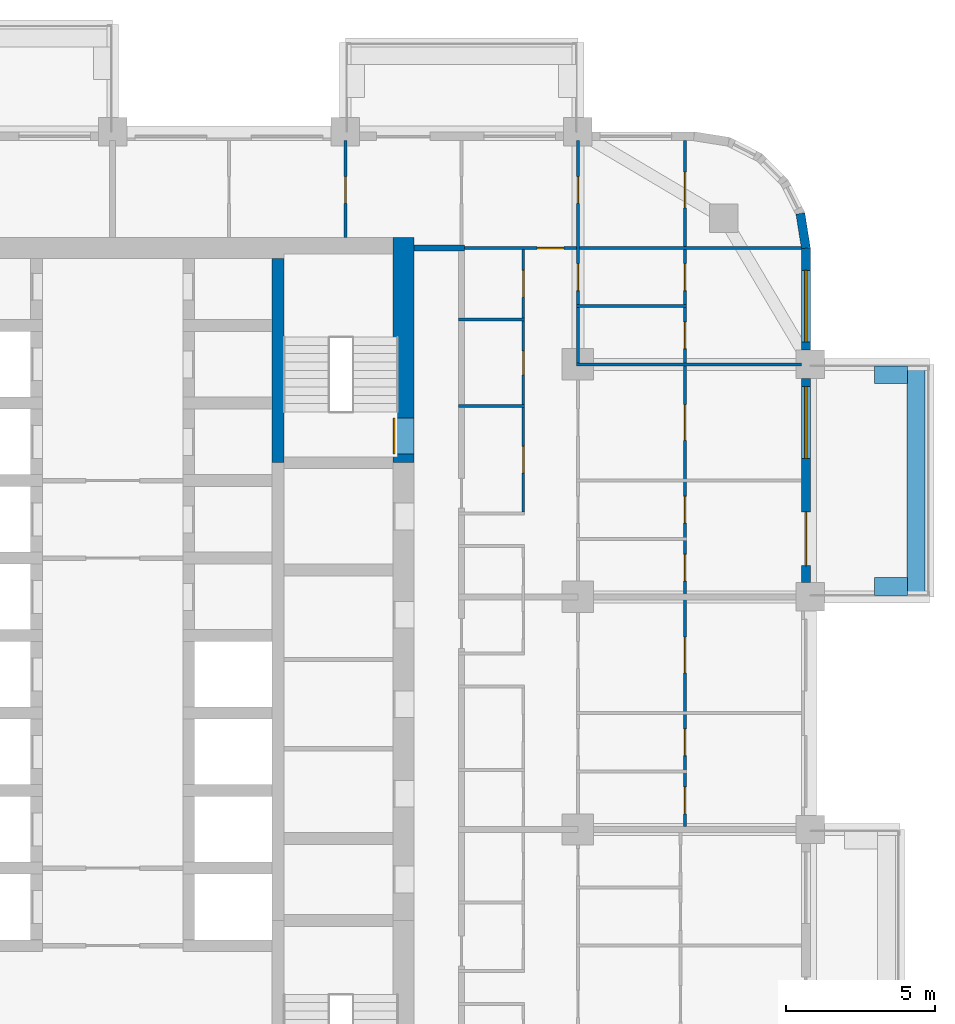
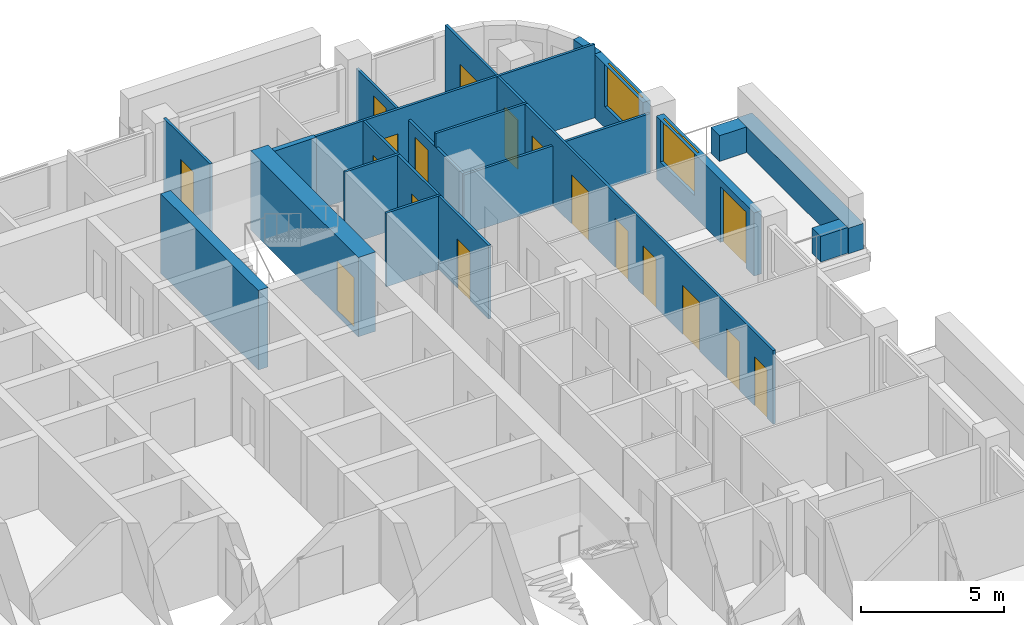
# One storey, part 13 of 18: 18 doors, 18 walls, 2 windows, 20 openings.
"""IFC4 building model written with IfcOpenShell, lengths in metres."""

from ifc_helpers import new_model, si_unit, direction, frame, frame_2d, origin, place, context, subcontext, project, spatial, rectangle, extrude, material, layer, layer_set, type_object, element, fill, save


model = new_model("IFC4")

# Units and contexts
model_context = context("Model", 3, precision=1e-05, world=origin(), true_north=direction((0.0, 1.0)))
body_context = subcontext(model_context, "Body", "Model", "MODEL_VIEW")
ifc_project = project(units=[si_unit("LENGTHUNIT", "METRE"), si_unit("AREAUNIT", "SQUARE_METRE"), si_unit("VOLUMEUNIT", "CUBIC_METRE"), si_unit("PLANEANGLEUNIT", "RADIAN"), si_unit("MASSUNIT", "GRAM", prefix="KILO")], contexts=[model_context])

# Site, building, storey
site_placement = place(None, origin())
site = spatial("IfcSite", under=ifc_project, at=site_placement, CompositionType="ELEMENT")
building_placement = place(site_placement, origin())
building = spatial("IfcBuilding", under=site, at=building_placement, Name="Ludao Terraces", CompositionType="ELEMENT")
storey_placement = place(building_placement, frame((0.0, 0.0, 64.800048828125)))
storey = spatial("IfcBuildingStorey", under=building, at=storey_placement, Name="L17", CompositionType="ELEMENT", Elevation=64.800048828125)

# Wall, opening, door
ifc_material_1 = material(Name="Concrete C70", Category="concrete")
ifc_layer_1 = layer(ifc_material_1, 0.699951171875)
ifc_layer_set_1 = layer_set([ifc_layer_1], Name="Core wall 700 C70")
wall_type_1 = type_object("IfcWallType", Name="Core wall 700 C70", PredefinedType="SOLIDWALL", material=ifc_layer_set_1)
wall_1_placement = place(storey_placement, frame((94.75, 77.300048828125, -0.25), z_axis=(0.0, 0.0, 1.0), x_axis=(0.0, 1.0, 0.0)))
wall_1 = element("IfcWall", 1, at=wall_1_placement, inside=storey, type_object=wall_type_1, Name="Core wall L17 outer-E-S2", PredefinedType="SOLIDWALL", context=body_context, shape_type="SweptSolid", body=[
    extrude(rectangle(XDim=7.550048828125, YDim=0.699951171875, at=frame_2d((3.77490234375, 0.0))), origin(), (0.0, 0.0, 1.0), 3.39990234375),
])
opening_1_placement = place(wall_1_placement, frame((0.300048828125, 0.0, 0.25)))
opening_1 = element("IfcOpeningElement", 2, at=opening_1_placement, cuts=wall_1, Name="Opening R05-136", PredefinedType="OPENING", context=body_context, shape_type="SweptSolid", body=[
    extrude(rectangle(XDim=1.199951171875, YDim=2.10009765625, at=frame_2d((0.60009765625, 1.050048828125))), frame((0.0, 0.35986328125, 0.0), z_axis=(0.0, -1.0, 0.0), x_axis=(1.0, 0.0, 0.0)), (0.0, 0.0, 1.0), 0.719970703125),
])
ifc_material_2 = material(Name="Steel Q235", Category="steel")
door_type_1 = type_object("IfcDoorType", Name="INT Stair door 1200", OperationType="DOUBLE_DOOR_SINGLE_SWING", PredefinedType="DOOR", material=ifc_material_2)
door_1_placement = place(opening_1_placement, origin())
door_1 = element("IfcDoor", 3, at=door_1_placement, inside=storey, type_object=door_type_1, Name="DOOR 136", OperationType="DOUBLE_DOOR_SINGLE_SWING", OverallHeight=2.10009765625, OverallWidth=1.199951171875, PredefinedType="DOOR", context=body_context, shape_type="SweptSolid", body=[
    extrude(rectangle(XDim=1.199951171875, YDim=2.10009765625, at=frame_2d((0.60009765625, 1.050048828125))), frame((0.0, 0.3349609375, 0.0), z_axis=(0.0, -1.0, 0.0), x_axis=(1.0, 0.0, 0.0)), (0.0, 0.0, 1.0), 0.050048828125),
])
fill(opening_1, door_1)

# Walls
ifc_material_3 = material(Name="Concrete C40", Category="concrete")
ifc_layer_2 = layer(ifc_material_3, 0.60009765625)
ifc_layer_set_2 = layer_set([ifc_layer_2], Name="ENV Planter trough 600")
wall_type_2 = type_object("IfcWallType", Name="ENV Planter trough 600", PredefinedType="USERDEFINED", material=ifc_layer_set_2)
wall_2_placement = place(storey_placement, frame((111.949951171875, 72.800048828125, 0.0), z_axis=(0.0, 0.0, 1.0), x_axis=(0.0, 1.0, 0.0)))
element("IfcWall", 4, at=wall_2_placement, inside=storey, type_object=wall_type_2, Name="PL-L17-E4", ObjectType="PLANTER", PredefinedType="USERDEFINED", context=body_context, shape_type="SweptSolid", body=[
    extrude(rectangle(XDim=7.800048828125, YDim=0.60009765625, at=frame_2d((3.89990234375, 0.0))), origin(), (0.0, 0.0, 1.0), 1.099853515625),
])
for number, where, z_axis, x_axis, name in (
    (5, (111.64990234375, 73.14990234375, 0.0), (0.0, 0.0, 1.0), (-1.0, 0.0, 0.0), "PL-L17-E4-SA"),
    (6, (111.64990234375, 80.25, 0.0), (0.0, 0.0, 1.0), (-1.0, 0.0, 0.0), "PL-L17-E4-SB"),
):
    element("IfcWall", number, at=place(storey_placement, frame(where, z_axis=z_axis, x_axis=x_axis)), inside=storey, type_object=wall_type_2, Name=name, ObjectType="PLANTER", PredefinedType="USERDEFINED", context=body_context, shape_type="SweptSolid", body=[
        extrude(rectangle(XDim=1.099853515625, YDim=0.60009765625, at=frame_2d((0.5498046875, 0.0))), origin(), (0.0, 0.0, 1.0), 1.099853515625),
    ])

# Wall, openings, door, window
ifc_material_4 = material(Name="Granite cladding", Category="masonry")
ifc_layer_3 = layer(ifc_material_4, 0.0400390625, Category="stone")
ifc_material_5 = material(Name="Mineral wool")
ifc_layer_4 = layer(ifc_material_5, 0.06005859375)
ifc_layer_5 = layer(ifc_material_3, 0.199951171875, Category="concrete")
ifc_layer_set_3 = layer_set([ifc_layer_3, ifc_layer_4, ifc_layer_5], Name="ENV Stone-clad wall 300")
wall_type_3 = type_object("IfcWallType", Name="ENV Stone-clad wall 300", PredefinedType="SOLIDWALL", material=ifc_layer_set_3)
wall_3_placement = place(storey_placement, frame((108.25, 73.27490234375, 0.0), z_axis=(0.0, 0.0, 1.0), x_axis=(0.0, 1.0, 0.0)))
wall_3 = element("IfcWall", 7, at=wall_3_placement, inside=storey, type_object=wall_type_3, Name="EW-L17-E5", PredefinedType="SOLIDWALL", context=body_context, shape_type="SweptSolid", body=[
    extrude(rectangle(XDim=6.85009765625, YDim=0.300048828125, at=frame_2d((3.425048828125, 0.0))), origin(), (0.0, 0.0, 1.0), 2.699951171875),
])
opening_2_placement = place(wall_3_placement, frame((0.574951171875, 0.0, 0.0)))
opening_2 = element("IfcOpeningElement", 8, at=opening_2_placement, cuts=wall_3, Name="Opening BD", PredefinedType="OPENING", context=body_context, shape_type="SweptSolid", body=[
    extrude(rectangle(XDim=1.800048828125, YDim=2.39990234375, at=frame_2d((0.89990234375, 1.199951171875))), frame((0.0, 0.16015625, 0.0), z_axis=(0.0, -1.0, 0.0), x_axis=(1.0, 0.0, 0.0)), (0.0, 0.0, 1.0), 0.320068359375),
])
opening_3_placement = place(wall_3_placement, frame((4.175048828125, 0.0, 0.89990234375)))
opening_3 = element("IfcOpeningElement", 9, at=opening_3_placement, cuts=wall_3, Name="Opening W1", PredefinedType="OPENING", context=body_context, shape_type="SweptSolid", body=[
    extrude(rectangle(XDim=2.39990234375, YDim=1.800048828125, at=frame_2d((1.199951171875, 0.89990234375))), frame((0.0, 0.16015625, 0.0), z_axis=(0.0, -1.0, 0.0), x_axis=(1.0, 0.0, 0.0)), (0.0, 0.0, 1.0), 0.320068359375),
])
ifc_material_6 = material(Name="Aluminium glazed door", Category="aluminium")
ifc_layer_6 = layer(ifc_material_6, 0.06005859375)
ifc_layer_set_4 = layer_set([ifc_layer_6], Name="ENV Balcony door BD 1800x2400")
door_type_2 = type_object("IfcDoorType", Name="ENV Balcony door BD 1800x2400", OperationType="DOUBLE_DOOR_SINGLE_SWING", PredefinedType="DOOR", material=ifc_layer_set_4)
door_2_placement = place(opening_2_placement, origin())
door_2 = element("IfcDoor", 10, at=door_2_placement, inside=storey, type_object=door_type_2, Name="BD-L17-E5-1", OperationType="DOUBLE_DOOR_SINGLE_SWING", OverallHeight=2.39990234375, OverallWidth=1.800048828125, PredefinedType="DOOR", context=body_context, shape_type="SweptSolid", body=[
    extrude(rectangle(XDim=1.800048828125, YDim=2.39990234375, at=frame_2d((0.89990234375, 1.199951171875))), frame((0.0, 0.02490234375, 0.0), z_axis=(0.0, -1.0, 0.0), x_axis=(1.0, 0.0, 0.0)), (0.0, 0.0, 1.0), 0.050048828125),
])
fill(opening_2, door_2)
ifc_material_7 = material(Name="Clear glass in aluminium frame", Category="aluminium")
ifc_layer_7 = layer(ifc_material_7, 0.06005859375)
ifc_layer_set_5 = layer_set([ifc_layer_7], Name="ENV Window W1 2400x1800")
window_type = type_object("IfcWindowType", Name="ENV Window W1 2400x1800", PartitioningType="DOUBLE_PANEL_VERTICAL", PredefinedType="WINDOW", material=ifc_layer_set_5)
window_1_placement = place(opening_3_placement, origin())
window_1 = element("IfcWindow", 11, at=window_1_placement, inside=storey, type_object=window_type, Name="W-L17-E5-2", OverallHeight=1.800048828125, OverallWidth=2.39990234375, PartitioningType="DOUBLE_PANEL_VERTICAL", PredefinedType="WINDOW", context=body_context, shape_type="SweptSolid", body=[
    extrude(rectangle(XDim=2.39990234375, YDim=1.800048828125, at=frame_2d((1.199951171875, 0.89990234375))), frame((0.0, 0.030029296875, 0.0), z_axis=(0.0, -1.0, 0.0), x_axis=(1.0, 0.0, 0.0)), (0.0, 0.0, 1.0), 0.06005859375),
])
fill(opening_3, window_1)

# Wall, opening, window
wall_4_placement = place(storey_placement, frame((108.25, 81.074951171875, 0.0), z_axis=(0.0, 0.0, 1.0), x_axis=(0.0, 1.0, 0.0)))
wall_4 = element("IfcWall", 12, at=wall_4_placement, inside=storey, type_object=wall_type_3, Name="EW-L17-E6", PredefinedType="SOLIDWALL", context=body_context, shape_type="SweptSolid", body=[
    extrude(rectangle(XDim=3.425048828125, YDim=0.300048828125, at=frame_2d((1.71240234375, 0.0))), origin(), (0.0, 0.0, 1.0), 2.699951171875),
])
opening_4_placement = place(wall_4_placement, frame((0.27490234375, 0.0, 0.89990234375)))
opening_4 = element("IfcOpeningElement", 13, at=opening_4_placement, cuts=wall_4, Name="Opening W1", PredefinedType="OPENING", context=body_context, shape_type="SweptSolid", body=[
    extrude(rectangle(XDim=2.39990234375, YDim=1.800048828125, at=frame_2d((1.199951171875, 0.89990234375))), frame((0.0, 0.16015625, 0.0), z_axis=(0.0, -1.0, 0.0), x_axis=(1.0, 0.0, 0.0)), (0.0, 0.0, 1.0), 0.320068359375),
])
window_2_placement = place(opening_4_placement, origin())
window_2 = element("IfcWindow", 14, at=window_2_placement, inside=storey, type_object=window_type, Name="W-L17-E6-1", OverallHeight=1.800048828125, OverallWidth=2.39990234375, PartitioningType="DOUBLE_PANEL_VERTICAL", PredefinedType="WINDOW", context=body_context, shape_type="SweptSolid", body=[
    extrude(rectangle(XDim=2.39990234375, YDim=1.800048828125, at=frame_2d((1.199951171875, 0.89990234375))), frame((0.0, 0.030029296875, 0.0), z_axis=(0.0, -1.0, 0.0), x_axis=(1.0, 0.0, 0.0)), (0.0, 0.0, 1.0), 0.06005859375),
])
fill(opening_4, window_2)

# Walls
wall_5_placement = place(storey_placement, frame((108.25, 84.5, 0.0), z_axis=(0.0, 0.0, 1.0), x_axis=(-0.156496880861, 0.987678452879, 0.0)))
element("IfcWall", 15, at=wall_5_placement, inside=storey, type_object=wall_type_3, Name="EW-L17-NE1", PredefinedType="SOLIDWALL", context=body_context, shape_type="SweptSolid", body=[
    extrude(rectangle(XDim=1.173095703125, YDim=0.300048828125, at=frame_2d((0.58642578125, 0.0))), origin(), (0.0, 0.0, 1.0), 2.699951171875),
])
ifc_material_8 = material(Name="Autoclaved aerated concrete block B06 A3.5", Category="concrete")
ifc_layer_8 = layer(ifc_material_8, 0.199951171875)
ifc_layer_set_6 = layer_set([ifc_layer_8], Name="INT Entrance wall 200")
wall_type_4 = type_object("IfcWallType", Name="INT Entrance wall 200", PredefinedType="PARTITIONING", material=ifc_layer_set_6)
wall_6_placement = place(storey_placement, frame((95.10009765625, 84.5, 0.0), z_axis=(0.0, 0.0, 1.0), x_axis=(1.0, 0.0, 0.0)))
element("IfcWall", 16, at=wall_6_placement, inside=storey, type_object=wall_type_4, Name="PW-L17-PW079", PredefinedType="PARTITIONING", context=body_context, shape_type="SweptSolid", body=[
    extrude(rectangle(XDim=1.699951171875, YDim=0.199951171875, at=frame_2d((0.85009765625, 0.0))), origin(), (0.0, 0.0, 1.0), 3.14990234375),
])
ifc_material_9 = material(Name="Gypsum plasterboard", Category="gypsum")
ifc_layer_9 = layer(ifc_material_9, 0.012451171875, Category="gypsum")
ifc_layer_10 = layer(ifc_material_5, 0.06005859375, Name="insulation")
ifc_layer_11 = layer(ifc_material_2, 0.014892578125, Name="stud")
ifc_layer_12 = layer(ifc_material_9, 0.012451171875, Category="gypsum")
ifc_layer_set_7 = layer_set([ifc_layer_9, ifc_layer_10, ifc_layer_11, ifc_layer_12], Name="INT Partition 100")
wall_type_5 = type_object("IfcWallType", Name="INT Partition 100", PredefinedType="PARTITIONING", material=ifc_layer_set_7)
wall_7_placement = place(storey_placement, frame((96.60009765625, 79.199951171875, 0.0), z_axis=(0.0, 0.0, 1.0), x_axis=(1.0, 0.0, 0.0)))
element("IfcWall", 17, at=wall_7_placement, inside=storey, type_object=wall_type_5, Name="PW-L17-PW068", PredefinedType="PARTITIONING", context=body_context, shape_type="SweptSolid", body=[
    extrude(rectangle(XDim=2.219970703125, YDim=0.10009765625, at=frame_2d((1.10986328125, 0.0))), origin(), (0.0, 0.0, 1.0), 3.14990234375),
])
wall_8_placement = place(storey_placement, frame((100.550048828125, 80.60009765625, 0.0), z_axis=(0.0, 0.0, 1.0), x_axis=(1.0, 0.0, 0.0)))
element("IfcWall", 18, at=wall_8_placement, inside=storey, type_object=wall_type_5, Name="PW-L17-PW071", PredefinedType="PARTITIONING", context=body_context, shape_type="SweptSolid", body=[
    extrude(rectangle(XDim=7.550048828125, YDim=0.10009765625, at=frame_2d((3.77490234375, 0.0))), origin(), (0.0, 0.0, 1.0), 2.5498046875),
])
wall_9_placement = place(storey_placement, frame((96.60009765625, 82.10009765625, 0.0), z_axis=(0.0, 0.0, 1.0), x_axis=(1.0, 0.0, 0.0)))
element("IfcWall", 19, at=wall_9_placement, inside=storey, type_object=wall_type_5, Name="PW-L17-PW073", PredefinedType="PARTITIONING", context=body_context, shape_type="SweptSolid", body=[
    extrude(rectangle(XDim=2.219970703125, YDim=0.10009765625, at=frame_2d((1.10986328125, 0.0))), origin(), (0.0, 0.0, 1.0), 3.14990234375),
])
wall_10_placement = place(storey_placement, frame((100.550048828125, 82.550048828125, 0.0), z_axis=(0.0, 0.0, 1.0), x_axis=(1.0, 0.0, 0.0)))
element("IfcWall", 20, at=wall_10_placement, inside=storey, type_object=wall_type_5, Name="PW-L17-PW076", PredefinedType="PARTITIONING", context=body_context, shape_type="SweptSolid", body=[
    extrude(rectangle(XDim=3.699951171875, YDim=0.10009765625, at=frame_2d((1.85009765625, 0.0))), origin(), (0.0, 0.0, 1.0), 3.14990234375),
])

# Wall, opening, door
wall_11_placement = place(storey_placement, frame((96.60009765625, 84.5, 0.0), z_axis=(0.0, 0.0, 1.0), x_axis=(1.0, 0.0, 0.0)))
wall_11 = element("IfcWall", 21, at=wall_11_placement, inside=storey, type_object=wall_type_5, Name="PW-L17-PW080", PredefinedType="PARTITIONING", context=body_context, shape_type="SweptSolid", body=[
    extrude(rectangle(XDim=11.5, YDim=0.10009765625, at=frame_2d((5.75, 0.0))), origin(), (0.0, 0.0, 1.0), 3.14990234375),
])
opening_5_placement = place(wall_11_placement, frame((2.635009765625, 0.0, 0.0)))
opening_5 = element("IfcOpeningElement", 22, at=opening_5_placement, cuts=wall_11, Name="Opening R05-158", PredefinedType="OPENING", context=body_context, shape_type="SweptSolid", body=[
    extrude(rectangle(XDim=0.89990234375, YDim=2.10009765625, at=frame_2d((0.449951171875, 1.050048828125))), frame((0.0, 0.06005859375, 0.0), z_axis=(0.0, -1.0, 0.0), x_axis=(1.0, 0.0, 0.0)), (0.0, 0.0, 1.0), 0.1201171875),
])
ifc_material_10 = material(Name="Timber door leaf", Category="wood")
door_type_3 = type_object("IfcDoorType", Name="INT Room door 900", OperationType="SINGLE_SWING_LEFT", PredefinedType="DOOR", material=ifc_material_10)
door_3_placement = place(opening_5_placement, origin())
door_3 = element("IfcDoor", 23, at=door_3_placement, inside=storey, type_object=door_type_3, Name="DOOR 158", OperationType="SINGLE_SWING_RIGHT", OverallHeight=2.10009765625, OverallWidth=0.89990234375, PredefinedType="DOOR", context=body_context, shape_type="SweptSolid", body=[
    extrude(rectangle(XDim=0.89990234375, YDim=2.10009765625, at=frame_2d((0.449951171875, 1.050048828125))), frame((0.0, 0.02490234375, 0.0), z_axis=(0.0, -1.0, 0.0), x_axis=(1.0, 0.0, 0.0)), (0.0, 0.0, 1.0), 0.050048828125),
])
fill(opening_5, door_3)

wall_12_placement = place(storey_placement, frame((92.800048828125, 84.85009765625, 0.0), z_axis=(0.0, 0.0, 1.0), x_axis=(0.0, 1.0, 0.0)))
wall_12 = element("IfcWall", 24, at=wall_12_placement, inside=storey, type_object=wall_type_5, Name="PW-L17-PW115", PredefinedType="PARTITIONING", context=body_context, shape_type="SweptSolid", body=[
    extrude(rectangle(XDim=3.25, YDim=0.10009765625, at=frame_2d((1.625, 0.0))), origin(), (0.0, 0.0, 1.0), 3.14990234375),
])
opening_6_placement = place(wall_12_placement, frame((1.14990234375, 0.0, 0.0)))
opening_6 = element("IfcOpeningElement", 25, at=opening_6_placement, cuts=wall_12, Name="Opening R05-165", PredefinedType="OPENING", context=body_context, shape_type="SweptSolid", body=[
    extrude(rectangle(XDim=0.89990234375, YDim=2.10009765625, at=frame_2d((0.449951171875, 1.050048828125))), frame((0.0, 0.06005859375, 0.0), z_axis=(0.0, -1.0, 0.0), x_axis=(1.0, 0.0, 0.0)), (0.0, 0.0, 1.0), 0.1201171875),
])
door_4_placement = place(opening_6_placement, origin())
door_4 = element("IfcDoor", 26, at=door_4_placement, inside=storey, type_object=door_type_3, Name="DOOR 165", OperationType="SINGLE_SWING_LEFT", OverallHeight=2.10009765625, OverallWidth=0.89990234375, PredefinedType="DOOR", context=body_context, shape_type="SweptSolid", body=[
    extrude(rectangle(XDim=0.89990234375, YDim=2.10009765625, at=frame_2d((0.449951171875, 1.050048828125))), frame((0.0, 0.02490234375, 0.0), z_axis=(0.0, -1.0, 0.0), x_axis=(1.0, 0.0, 0.0)), (0.0, 0.0, 1.0), 0.050048828125),
])
fill(opening_6, door_4)

# Wall, openings, doors
wall_13_placement = place(storey_placement, frame((98.77001953125, 75.650146484375, 0.0), z_axis=(0.0, 0.0, 1.0), x_axis=(0.0, 1.0, 0.0)))
wall_13 = element("IfcWall", 27, at=wall_13_placement, inside=storey, type_object=wall_type_5, Name="PW-L17-PW124", PredefinedType="PARTITIONING", context=body_context, shape_type="SweptSolid", body=[
    extrude(rectangle(XDim=8.800048828125, YDim=0.10009765625, at=frame_2d((4.39990234375, 0.0))), origin(), (0.0, 0.0, 1.0), 3.14990234375),
])
opening_7_placement = place(wall_13_placement, frame((1.300048828125, 0.0, 0.0)))
opening_7 = element("IfcOpeningElement", 28, at=opening_7_placement, cuts=wall_13, Name="Opening R05-131", PredefinedType="OPENING", context=body_context, shape_type="SweptSolid", body=[
    extrude(rectangle(XDim=0.89990234375, YDim=2.10009765625, at=frame_2d((0.449951171875, 1.050048828125))), frame((0.0, 0.06005859375, 0.0), z_axis=(0.0, -1.0, 0.0), x_axis=(1.0, 0.0, 0.0)), (0.0, 0.0, 1.0), 0.1201171875),
])
opening_8_placement = place(wall_13_placement, frame((4.60009765625, 0.0, 0.0)))
opening_8 = element("IfcOpeningElement", 29, at=opening_8_placement, cuts=wall_13, Name="Opening R05-145", PredefinedType="OPENING", context=body_context, shape_type="SweptSolid", body=[
    extrude(rectangle(XDim=0.800048828125, YDim=2.10009765625, at=frame_2d((0.39990234375, 1.050048828125))), frame((0.0, 0.06005859375, 0.0), z_axis=(0.0, -1.0, 0.0), x_axis=(1.0, 0.0, 0.0)), (0.0, 0.0, 1.0), 0.1201171875),
])
opening_9_placement = place(wall_13_placement, frame((7.199951171875, 0.0, 0.0)))
opening_9 = element("IfcOpeningElement", 30, at=opening_9_placement, cuts=wall_13, Name="Opening R05-151", PredefinedType="OPENING", context=body_context, shape_type="SweptSolid", body=[
    extrude(rectangle(XDim=0.89990234375, YDim=2.10009765625, at=frame_2d((0.449951171875, 1.050048828125))), frame((0.0, 0.06005859375, 0.0), z_axis=(0.0, -1.0, 0.0), x_axis=(1.0, 0.0, 0.0)), (0.0, 0.0, 1.0), 0.1201171875),
])
door_type_4 = type_object("IfcDoorType", Name="INT Bathroom door 900", OperationType="SINGLE_SWING_LEFT", PredefinedType="DOOR", material=ifc_material_10)
door_5_placement = place(opening_9_placement, origin())
door_5 = element("IfcDoor", 31, at=door_5_placement, inside=storey, type_object=door_type_4, Name="DOOR 151", OperationType="SINGLE_SWING_LEFT", OverallHeight=2.10009765625, OverallWidth=0.89990234375, PredefinedType="DOOR", context=body_context, shape_type="SweptSolid", body=[
    extrude(rectangle(XDim=0.89990234375, YDim=2.10009765625, at=frame_2d((0.449951171875, 1.050048828125))), frame((0.0, 0.02490234375, 0.0), z_axis=(0.0, -1.0, 0.0), x_axis=(1.0, 0.0, 0.0)), (0.0, 0.0, 1.0), 0.050048828125),
])
fill(opening_9, door_5)
door_6_placement = place(opening_7_placement, origin())
door_6 = element("IfcDoor", 32, at=door_6_placement, inside=storey, type_object=door_type_3, Name="DOOR 131", OperationType="SINGLE_SWING_LEFT", OverallHeight=2.10009765625, OverallWidth=0.89990234375, PredefinedType="DOOR", context=body_context, shape_type="SweptSolid", body=[
    extrude(rectangle(XDim=0.89990234375, YDim=2.10009765625, at=frame_2d((0.449951171875, 1.050048828125))), frame((0.0, 0.02490234375, 0.0), z_axis=(0.0, -1.0, 0.0), x_axis=(1.0, 0.0, 0.0)), (0.0, 0.0, 1.0), 0.050048828125),
])
fill(opening_7, door_6)
door_type_5 = type_object("IfcDoorType", Name="INT Store door 800", OperationType="SINGLE_SWING_LEFT", PredefinedType="DOOR", material=ifc_material_10)
door_7_placement = place(opening_8_placement, origin())
door_7 = element("IfcDoor", 33, at=door_7_placement, inside=storey, type_object=door_type_5, Name="DOOR 145", OperationType="SINGLE_SWING_RIGHT", OverallHeight=2.10009765625, OverallWidth=0.800048828125, PredefinedType="DOOR", context=body_context, shape_type="SweptSolid", body=[
    extrude(rectangle(XDim=0.800048828125, YDim=2.10009765625, at=frame_2d((0.39990234375, 1.050048828125))), frame((0.0, 0.02490234375, 0.0), z_axis=(0.0, -1.0, 0.0), x_axis=(1.0, 0.0, 0.0)), (0.0, 0.0, 1.0), 0.050048828125),
])
fill(opening_8, door_7)

wall_14_placement = place(storey_placement, frame((100.60009765625, 80.60009765625, 0.0), z_axis=(0.0, 0.0, 1.0), x_axis=(0.0, 1.0, 0.0)))
wall_14 = element("IfcWall", 34, at=wall_14_placement, inside=storey, type_object=wall_type_5, Name="PW-L17-PW125-3", PredefinedType="PARTITIONING", context=body_context, shape_type="SweptSolid", body=[
    extrude(rectangle(XDim=7.5, YDim=0.10009765625, at=frame_2d((3.75, 0.0))), origin(), (0.0, 0.0, 1.0), 2.5498046875),
])
opening_10_placement = place(wall_14_placement, frame((2.47509765625, 0.0, 0.0)))
opening_10 = element("IfcOpeningElement", 35, at=opening_10_placement, cuts=wall_14, Name="Opening R05-155", PredefinedType="OPENING", context=body_context, shape_type="SweptSolid", body=[
    extrude(rectangle(XDim=0.89990234375, YDim=2.10009765625, at=frame_2d((0.449951171875, 1.050048828125))), frame((0.0, 0.06005859375, 0.0), z_axis=(0.0, -1.0, 0.0), x_axis=(1.0, 0.0, 0.0)), (0.0, 0.0, 1.0), 0.1201171875),
])
opening_11_placement = place(wall_14_placement, frame((5.39990234375, 0.0, 0.0)))
opening_11 = element("IfcOpeningElement", 36, at=opening_11_placement, cuts=wall_14, Name="Opening R05-167", PredefinedType="OPENING", context=body_context, shape_type="SweptSolid", body=[
    extrude(rectangle(XDim=0.89990234375, YDim=2.10009765625, at=frame_2d((0.449951171875, 1.050048828125))), frame((0.0, 0.06005859375, 0.0), z_axis=(0.0, -1.0, 0.0), x_axis=(1.0, 0.0, 0.0)), (0.0, 0.0, 1.0), 0.1201171875),
])
door_8_placement = place(opening_10_placement, origin())
door_8 = element("IfcDoor", 37, at=door_8_placement, inside=storey, type_object=door_type_3, Name="DOOR 155", OperationType="SINGLE_SWING_RIGHT", OverallHeight=2.10009765625, OverallWidth=0.89990234375, PredefinedType="DOOR", context=body_context, shape_type="SweptSolid", body=[
    extrude(rectangle(XDim=0.89990234375, YDim=2.10009765625, at=frame_2d((0.449951171875, 1.050048828125))), frame((0.0, 0.02490234375, 0.0), z_axis=(0.0, -1.0, 0.0), x_axis=(1.0, 0.0, 0.0)), (0.0, 0.0, 1.0), 0.050048828125),
])
fill(opening_10, door_8)
door_9_placement = place(opening_11_placement, origin())
door_9 = element("IfcDoor", 38, at=door_9_placement, inside=storey, type_object=door_type_3, Name="DOOR 167", OperationType="SINGLE_SWING_LEFT", OverallHeight=2.10009765625, OverallWidth=0.89990234375, PredefinedType="DOOR", context=body_context, shape_type="SweptSolid", body=[
    extrude(rectangle(XDim=0.89990234375, YDim=2.10009765625, at=frame_2d((0.449951171875, 1.050048828125))), frame((0.0, 0.02490234375, 0.0), z_axis=(0.0, -1.0, 0.0), x_axis=(1.0, 0.0, 0.0)), (0.0, 0.0, 1.0), 0.050048828125),
])
fill(opening_11, door_9)

wall_15_placement = place(storey_placement, frame((104.199951171875, 65.10009765625, 0.0), z_axis=(0.0, 0.0, 1.0), x_axis=(0.0, 1.0, 0.0)))
wall_15 = element("IfcWall", 39, at=wall_15_placement, inside=storey, type_object=wall_type_5, Name="PW-L17-PW127", PredefinedType="PARTITIONING", context=body_context, shape_type="SweptSolid", body=[
    extrude(rectangle(XDim=23.0, YDim=0.10009765625, at=frame_2d((11.5, 0.0))), origin(), (0.0, 0.0, 1.0), 3.14990234375),
])
opening_12_placement = place(wall_15_placement, frame((0.425048828125, 0.0, 0.0)))
opening_12 = element("IfcOpeningElement", 40, at=opening_12_placement, cuts=wall_15, Name="Opening R05-090", PredefinedType="OPENING", context=body_context, shape_type="SweptSolid", body=[
    extrude(rectangle(XDim=0.89990234375, YDim=2.10009765625, at=frame_2d((0.449951171875, 1.050048828125))), frame((0.0, 0.06005859375, 0.0), z_axis=(0.0, -1.0, 0.0), x_axis=(1.0, 0.0, 0.0)), (0.0, 0.0, 1.0), 0.1201171875),
])
opening_13_placement = place(wall_15_placement, frame((2.375, 0.0, 0.0)))
opening_13 = element("IfcOpeningElement", 41, at=opening_13_placement, cuts=wall_15, Name="Opening R05-099", PredefinedType="OPENING", context=body_context, shape_type="SweptSolid", body=[
    extrude(rectangle(XDim=0.89990234375, YDim=2.10009765625, at=frame_2d((0.449951171875, 1.050048828125))), frame((0.0, 0.06005859375, 0.0), z_axis=(0.0, -1.0, 0.0), x_axis=(1.0, 0.0, 0.0)), (0.0, 0.0, 1.0), 0.1201171875),
])
opening_14_placement = place(wall_15_placement, frame((5.14990234375, 0.0, 0.0)))
opening_14 = element("IfcOpeningElement", 42, at=opening_14_placement, cuts=wall_15, Name="Opening R05-107", PredefinedType="OPENING", context=body_context, shape_type="SweptSolid", body=[
    extrude(rectangle(XDim=1.199951171875, YDim=2.10009765625, at=frame_2d((0.60009765625, 1.050048828125))), frame((0.0, 0.06005859375, 0.0), z_axis=(0.0, -1.0, 0.0), x_axis=(1.0, 0.0, 0.0)), (0.0, 0.0, 1.0), 0.1201171875),
])
opening_15_placement = place(wall_15_placement, frame((8.22509765625, 0.0, 0.0)))
opening_15 = element("IfcOpeningElement", 43, at=opening_15_placement, cuts=wall_15, Name="Opening R05-117", PredefinedType="OPENING", context=body_context, shape_type="SweptSolid", body=[
    extrude(rectangle(XDim=0.89990234375, YDim=2.10009765625, at=frame_2d((0.449951171875, 1.050048828125))), frame((0.0, 0.06005859375, 0.0), z_axis=(0.0, -1.0, 0.0), x_axis=(1.0, 0.0, 0.0)), (0.0, 0.0, 1.0), 0.1201171875),
])
opening_16_placement = place(wall_15_placement, frame((10.175048828125, 0.0, 0.0)))
opening_16 = element("IfcOpeningElement", 44, at=opening_16_placement, cuts=wall_15, Name="Opening R05-126", PredefinedType="OPENING", context=body_context, shape_type="SweptSolid", body=[
    extrude(rectangle(XDim=0.89990234375, YDim=2.10009765625, at=frame_2d((0.449951171875, 1.050048828125))), frame((0.0, 0.06005859375, 0.0), z_axis=(0.0, -1.0, 0.0), x_axis=(1.0, 0.0, 0.0)), (0.0, 0.0, 1.0), 0.1201171875),
])
opening_17_placement = place(wall_15_placement, frame((12.949951171875, 0.0, 0.0)))
opening_17 = element("IfcOpeningElement", 45, at=opening_17_placement, cuts=wall_15, Name="Opening R05-140", PredefinedType="OPENING", context=body_context, shape_type="SweptSolid", body=[
    extrude(rectangle(XDim=1.199951171875, YDim=2.10009765625, at=frame_2d((0.60009765625, 1.050048828125))), frame((0.0, 0.06005859375, 0.0), z_axis=(0.0, -1.0, 0.0), x_axis=(1.0, 0.0, 0.0)), (0.0, 0.0, 1.0), 0.1201171875),
])
opening_18_placement = place(wall_15_placement, frame((16.02490234375, 0.0, 0.0)))
opening_18 = element("IfcOpeningElement", 46, at=opening_18_placement, cuts=wall_15, Name="Opening R05-147", PredefinedType="OPENING", context=body_context, shape_type="SweptSolid", body=[
    extrude(rectangle(XDim=0.89990234375, YDim=2.10009765625, at=frame_2d((0.449951171875, 1.050048828125))), frame((0.0, 0.06005859375, 0.0), z_axis=(0.0, -1.0, 0.0), x_axis=(1.0, 0.0, 0.0)), (0.0, 0.0, 1.0), 0.1201171875),
])
opening_19_placement = place(wall_15_placement, frame((17.97509765625, 0.0, 0.0)))
opening_19 = element("IfcOpeningElement", 47, at=opening_19_placement, cuts=wall_15, Name="Opening R05-156", PredefinedType="OPENING", context=body_context, shape_type="SweptSolid", body=[
    extrude(rectangle(XDim=0.89990234375, YDim=2.10009765625, at=frame_2d((0.449951171875, 1.050048828125))), frame((0.0, 0.06005859375, 0.0), z_axis=(0.0, -1.0, 0.0), x_axis=(1.0, 0.0, 0.0)), (0.0, 0.0, 1.0), 0.1201171875),
])
opening_20_placement = place(wall_15_placement, frame((20.75, 0.0, 0.0)))
opening_20 = element("IfcOpeningElement", 48, at=opening_20_placement, cuts=wall_15, Name="Opening R05-168", PredefinedType="OPENING", context=body_context, shape_type="SweptSolid", body=[
    extrude(rectangle(XDim=1.199951171875, YDim=2.10009765625, at=frame_2d((0.60009765625, 1.050048828125))), frame((0.0, 0.06005859375, 0.0), z_axis=(0.0, -1.0, 0.0), x_axis=(1.0, 0.0, 0.0)), (0.0, 0.0, 1.0), 0.1201171875),
])
door_10_placement = place(opening_12_placement, origin())
door_10 = element("IfcDoor", 49, at=door_10_placement, inside=storey, type_object=door_type_4, Name="DOOR 090", OperationType="SINGLE_SWING_LEFT", OverallHeight=2.10009765625, OverallWidth=0.89990234375, PredefinedType="DOOR", context=body_context, shape_type="SweptSolid", body=[
    extrude(rectangle(XDim=0.89990234375, YDim=2.10009765625, at=frame_2d((0.449951171875, 1.050048828125))), frame((0.0, 0.02490234375, 0.0), z_axis=(0.0, -1.0, 0.0), x_axis=(1.0, 0.0, 0.0)), (0.0, 0.0, 1.0), 0.050048828125),
])
fill(opening_12, door_10)
door_11_placement = place(opening_15_placement, origin())
door_11 = element("IfcDoor", 50, at=door_11_placement, inside=storey, type_object=door_type_4, Name="DOOR 117", OperationType="SINGLE_SWING_LEFT", OverallHeight=2.10009765625, OverallWidth=0.89990234375, PredefinedType="DOOR", context=body_context, shape_type="SweptSolid", body=[
    extrude(rectangle(XDim=0.89990234375, YDim=2.10009765625, at=frame_2d((0.449951171875, 1.050048828125))), frame((0.0, 0.02490234375, 0.0), z_axis=(0.0, -1.0, 0.0), x_axis=(1.0, 0.0, 0.0)), (0.0, 0.0, 1.0), 0.050048828125),
])
fill(opening_15, door_11)
door_12_placement = place(opening_18_placement, origin())
door_12 = element("IfcDoor", 51, at=door_12_placement, inside=storey, type_object=door_type_4, Name="DOOR 147", OperationType="SINGLE_SWING_RIGHT", OverallHeight=2.10009765625, OverallWidth=0.89990234375, PredefinedType="DOOR", context=body_context, shape_type="SweptSolid", body=[
    extrude(rectangle(XDim=0.89990234375, YDim=2.10009765625, at=frame_2d((0.449951171875, 1.050048828125))), frame((0.0, 0.02490234375, 0.0), z_axis=(0.0, -1.0, 0.0), x_axis=(1.0, 0.0, 0.0)), (0.0, 0.0, 1.0), 0.050048828125),
])
fill(opening_18, door_12)
door_type_6 = type_object("IfcDoorType", Name="INT Double door 1200", OperationType="DOUBLE_DOOR_SINGLE_SWING", PredefinedType="DOOR", material=ifc_material_10)
door_13_placement = place(opening_14_placement, origin())
door_13 = element("IfcDoor", 52, at=door_13_placement, inside=storey, type_object=door_type_6, Name="DOOR 107", OperationType="DOUBLE_DOOR_SINGLE_SWING", OverallHeight=2.10009765625, OverallWidth=1.199951171875, PredefinedType="DOOR", context=body_context, shape_type="SweptSolid", body=[
    extrude(rectangle(XDim=1.199951171875, YDim=2.10009765625, at=frame_2d((0.60009765625, 1.050048828125))), frame((0.0, 0.02490234375, 0.0), z_axis=(0.0, -1.0, 0.0), x_axis=(1.0, 0.0, 0.0)), (0.0, 0.0, 1.0), 0.050048828125),
])
fill(opening_14, door_13)
door_14_placement = place(opening_17_placement, origin())
door_14 = element("IfcDoor", 53, at=door_14_placement, inside=storey, type_object=door_type_6, Name="DOOR 140", OperationType="DOUBLE_DOOR_SINGLE_SWING", OverallHeight=2.10009765625, OverallWidth=1.199951171875, PredefinedType="DOOR", context=body_context, shape_type="SweptSolid", body=[
    extrude(rectangle(XDim=1.199951171875, YDim=2.10009765625, at=frame_2d((0.60009765625, 1.050048828125))), frame((0.0, 0.02490234375, 0.0), z_axis=(0.0, -1.0, 0.0), x_axis=(1.0, 0.0, 0.0)), (0.0, 0.0, 1.0), 0.050048828125),
])
fill(opening_17, door_14)
door_15_placement = place(opening_20_placement, origin())
door_15 = element("IfcDoor", 54, at=door_15_placement, inside=storey, type_object=door_type_6, Name="DOOR 168", OperationType="DOUBLE_DOOR_SINGLE_SWING", OverallHeight=2.10009765625, OverallWidth=1.199951171875, PredefinedType="DOOR", context=body_context, shape_type="SweptSolid", body=[
    extrude(rectangle(XDim=1.199951171875, YDim=2.10009765625, at=frame_2d((0.60009765625, 1.050048828125))), frame((0.0, 0.02490234375, 0.0), z_axis=(0.0, -1.0, 0.0), x_axis=(1.0, 0.0, 0.0)), (0.0, 0.0, 1.0), 0.050048828125),
])
fill(opening_20, door_15)
door_16_placement = place(opening_13_placement, origin())
door_16 = element("IfcDoor", 55, at=door_16_placement, inside=storey, type_object=door_type_3, Name="DOOR 099", OperationType="SINGLE_SWING_RIGHT", OverallHeight=2.10009765625, OverallWidth=0.89990234375, PredefinedType="DOOR", context=body_context, shape_type="SweptSolid", body=[
    extrude(rectangle(XDim=0.89990234375, YDim=2.10009765625, at=frame_2d((0.449951171875, 1.050048828125))), frame((0.0, 0.02490234375, 0.0), z_axis=(0.0, -1.0, 0.0), x_axis=(1.0, 0.0, 0.0)), (0.0, 0.0, 1.0), 0.050048828125),
])
fill(opening_13, door_16)
door_17_placement = place(opening_16_placement, origin())
door_17 = element("IfcDoor", 56, at=door_17_placement, inside=storey, type_object=door_type_3, Name="DOOR 126", OperationType="SINGLE_SWING_LEFT", OverallHeight=2.10009765625, OverallWidth=0.89990234375, PredefinedType="DOOR", context=body_context, shape_type="SweptSolid", body=[
    extrude(rectangle(XDim=0.89990234375, YDim=2.10009765625, at=frame_2d((0.449951171875, 1.050048828125))), frame((0.0, 0.02490234375, 0.0), z_axis=(0.0, -1.0, 0.0), x_axis=(1.0, 0.0, 0.0)), (0.0, 0.0, 1.0), 0.050048828125),
])
fill(opening_16, door_17)
door_18_placement = place(opening_19_placement, origin())
door_18 = element("IfcDoor", 57, at=door_18_placement, inside=storey, type_object=door_type_3, Name="DOOR 156", OperationType="SINGLE_SWING_LEFT", OverallHeight=2.10009765625, OverallWidth=0.89990234375, PredefinedType="DOOR", context=body_context, shape_type="SweptSolid", body=[
    extrude(rectangle(XDim=0.89990234375, YDim=2.10009765625, at=frame_2d((0.449951171875, 1.050048828125))), frame((0.0, 0.02490234375, 0.0), z_axis=(0.0, -1.0, 0.0), x_axis=(1.0, 0.0, 0.0)), (0.0, 0.0, 1.0), 0.050048828125),
])
fill(opening_19, door_18)

# Wall
ifc_material_11 = material(Name="Concrete C60", Category="concrete")
ifc_layer_13 = layer(ifc_material_11, 0.39990234375)
ifc_layer_set_8 = layer_set([ifc_layer_13], Name="Shaft wall 400 C60")
wall_type_6 = type_object("IfcWallType", Name="Shaft wall 400 C60", PredefinedType="SOLIDWALL", material=ifc_layer_set_8)
wall_16_placement = place(storey_placement, frame((90.550048828125, 77.300048828125, -0.25), z_axis=(0.0, 0.0, 1.0), x_axis=(0.0, 1.0, 0.0)))
element("IfcWall", 58, at=wall_16_placement, inside=storey, type_object=wall_type_6, Name="Core wall L17 back-E-S2", PredefinedType="SOLIDWALL", context=body_context, shape_type="SweptSolid", body=[
    extrude(rectangle(XDim=6.849853515625, YDim=0.39990234375, at=frame_2d((3.4248046875, 0.0))), origin(), (0.0, 0.0, 1.0), 3.39990234375),
])

save(model, "model.ifc")
